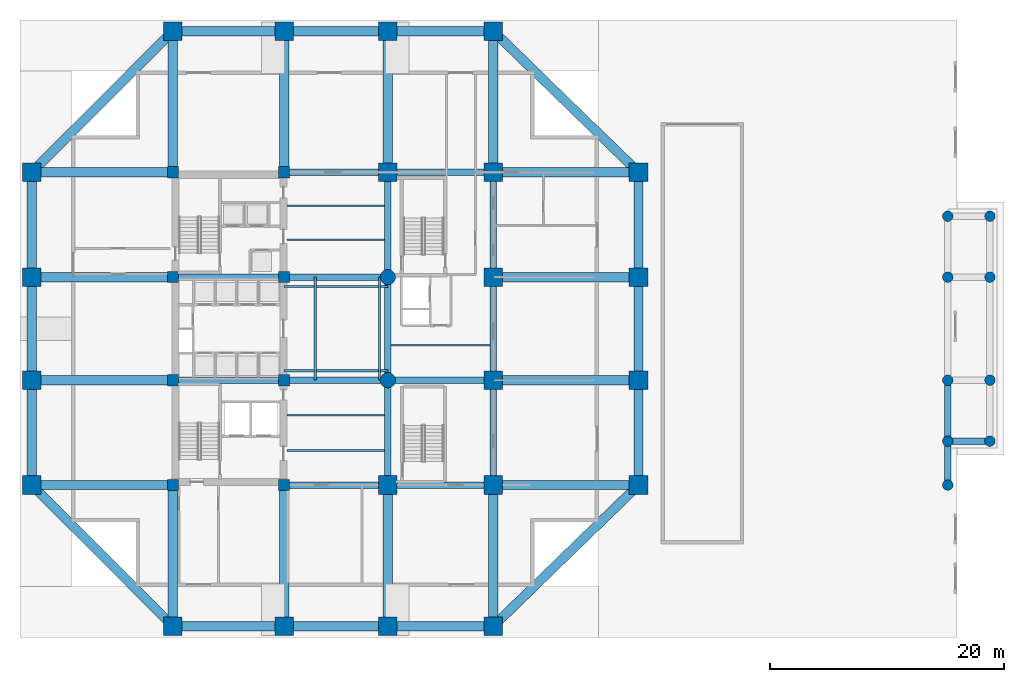
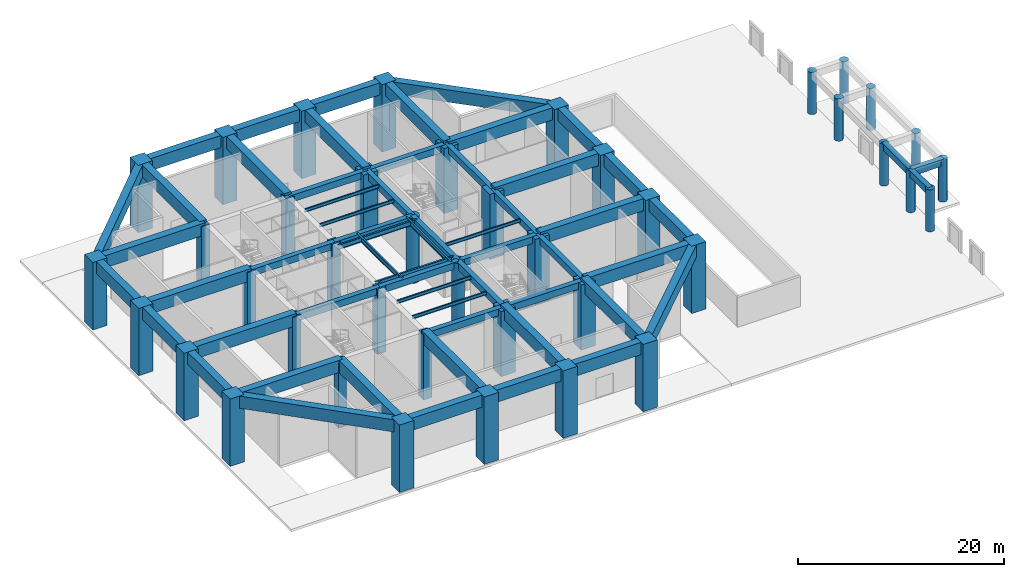
# One storey, part 1 of 10: 59 beams, 41 columns.
"""IFC4 building model written with IfcOpenShell, lengths in metres."""

from ifc_helpers import new_model, si_unit, direction, frame, origin, origin_2d, place, context, subcontext, project, spatial, rectangle, circle, i_section, extrude, material, material_profile, profile_set, type_object, element, save


model = new_model("IFC4")

# Units and contexts
model_context = context("Model", 3, precision=1e-05, world=origin(), true_north=direction((0.0, 1.0)))
body_context = subcontext(model_context, "Body", "Model", "MODEL_VIEW")
ifc_project = project(units=[si_unit("LENGTHUNIT", "METRE"), si_unit("AREAUNIT", "SQUARE_METRE"), si_unit("VOLUMEUNIT", "CUBIC_METRE"), si_unit("PLANEANGLEUNIT", "RADIAN"), si_unit("MASSUNIT", "GRAM", prefix="KILO")], contexts=[model_context])

# Site, building, storey
site_placement = place(None, origin())
site = spatial("IfcSite", under=ifc_project, at=site_placement, CompositionType="ELEMENT")
building_placement = place(site_placement, origin())
building = spatial("IfcBuilding", under=site, at=building_placement, Name="Kundavana Baori Tower", CompositionType="ELEMENT")
storey_placement = place(building_placement, origin())
storey = spatial("IfcBuildingStorey", under=building, at=storey_placement, Name="L00", CompositionType="ELEMENT", Elevation=0.0)

# Columns
ifc_material_1 = material(Name="Concrete C60/75", Category="concrete")
ifc_material_profile_1 = material_profile(ifc_material_1, rectangle(XDim=1.60009765625, YDim=1.60009765625, at=origin_2d()), Name="RC 1600x1600")
ifc_profile_set_1 = profile_set([ifc_material_profile_1], Name="Concrete C60/75")
column_type_1 = type_object("IfcColumnType", Name="COL-RC-1600", PredefinedType="COLUMN", material=ifc_profile_set_1)
for number, where, z_axis, x_axis, name in (
    (1, (33.800048828125, 15.25, 0.0), (0.0, 0.0, 1.0), (1.0, 0.0, 0.0), "L00 Interior Column IC-5C"),
    (2, (33.800048828125, 41.949951171875, 0.0), (0.0, 0.0, 1.0), (1.0, 0.0, 0.0), "L00 Interior Column IC-5F"),
    (3, (42.800048828125, 15.25, 0.0), (0.0, 0.0, 1.0), (1.0, 0.0, 0.0), "L00 Interior Column IC-6C"),
    (4, (42.800048828125, 24.199951171875, 0.0), (0.0, 0.0, 1.0), (1.0, 0.0, 0.0), "L00 Interior Column IC-6D"),
    (5, (42.800048828125, 33.0, 0.0), (0.0, 0.0, 1.0), (1.0, 0.0, 0.0), "L00 Interior Column IC-6E"),
    (6, (42.800048828125, 41.949951171875, 0.0), (0.0, 0.0, 1.0), (1.0, 0.0, 0.0), "L00 Interior Column IC-6F"),
):
    element("IfcColumn", number, at=place(storey_placement, frame(where, z_axis=z_axis, x_axis=x_axis)), inside=storey, type_object=column_type_1, Name=name, PredefinedType="COLUMN", context=body_context, shape_type="SweptSolid", body=[
        extrude(rectangle(XDim=1.60009765625, YDim=1.60009765625, at=origin_2d()), origin(), (0.0, 0.0, 1.0), 7.719970703125),
    ])
for number, where, z_axis, x_axis, name in (
    (7, (15.449951171875, 3.199951171875, 0.0), (0.0, 0.0, 1.0), (1.0, 0.0, 0.0), "L00 Pilotis Stilt Mega-Column PL-S1"),
    (8, (24.949951171875, 3.199951171875, 0.0), (0.0, 0.0, 1.0), (1.0, 0.0, 0.0), "L00 Pilotis Stilt Mega-Column PL-S2"),
    (9, (33.800048828125, 3.199951171875, 0.0), (0.0, 0.0, 1.0), (1.0, 0.0, 0.0), "L00 Pilotis Stilt Mega-Column PL-S3"),
    (10, (42.800048828125, 3.199951171875, 0.0), (0.0, 0.0, 1.0), (1.0, 0.0, 0.0), "L00 Pilotis Stilt Mega-Column PL-S4"),
    (11, (15.449951171875, 54.0, 0.0), (0.0, 0.0, 1.0), (1.0, 0.0, 0.0), "L00 Pilotis Stilt Mega-Column PL-N1"),
    (12, (24.949951171875, 54.0, 0.0), (0.0, 0.0, 1.0), (1.0, 0.0, 0.0), "L00 Pilotis Stilt Mega-Column PL-N2"),
    (13, (33.800048828125, 54.0, 0.0), (0.0, 0.0, 1.0), (1.0, 0.0, 0.0), "L00 Pilotis Stilt Mega-Column PL-N3"),
    (14, (42.800048828125, 54.0, 0.0), (0.0, 0.0, 1.0), (1.0, 0.0, 0.0), "L00 Pilotis Stilt Mega-Column PL-N4"),
    (15, (3.39990234375, 15.25, 0.0), (0.0, 0.0, 1.0), (1.0, 0.0, 0.0), "L00 Pilotis Stilt Mega-Column PL-W1"),
    (16, (3.39990234375, 24.199951171875, 0.0), (0.0, 0.0, 1.0), (1.0, 0.0, 0.0), "L00 Pilotis Stilt Mega-Column PL-W2"),
    (17, (3.39990234375, 33.0, 0.0), (0.0, 0.0, 1.0), (1.0, 0.0, 0.0), "L00 Pilotis Stilt Mega-Column PL-W3"),
    (18, (3.39990234375, 41.949951171875, 0.0), (0.0, 0.0, 1.0), (1.0, 0.0, 0.0), "L00 Pilotis Stilt Mega-Column PL-W4"),
    (19, (55.199951171875, 15.25, 0.0), (0.0, 0.0, 1.0), (1.0, 0.0, 0.0), "L00 Pilotis Stilt Mega-Column PL-E1"),
    (20, (55.199951171875, 24.199951171875, 0.0), (0.0, 0.0, 1.0), (1.0, 0.0, 0.0), "L00 Pilotis Stilt Mega-Column PL-E2"),
    (21, (55.199951171875, 33.0, 0.0), (0.0, 0.0, 1.0), (1.0, 0.0, 0.0), "L00 Pilotis Stilt Mega-Column PL-E3"),
    (22, (55.199951171875, 41.949951171875, 0.0), (0.0, 0.0, 1.0), (1.0, 0.0, 0.0), "L00 Pilotis Stilt Mega-Column PL-E4"),
):
    element("IfcColumn", number, at=place(storey_placement, frame(where, z_axis=z_axis, x_axis=x_axis)), inside=storey, type_object=column_type_1, Name=name, PredefinedType="COLUMN", context=body_context, shape_type="SweptSolid", body=[
        extrude(rectangle(XDim=1.60009765625, YDim=1.60009765625, at=origin_2d()), origin(), (0.0, 0.0, 1.0), 8.0),
    ])
ifc_material_2 = material(Name="Concrete C50/60", Category="concrete")
ifc_material_profile_2 = material_profile(ifc_material_2, rectangle(XDim=0.949951171875, YDim=0.949951171875, at=origin_2d()), Name="RC 950x950")
ifc_profile_set_2 = profile_set([ifc_material_profile_2], Name="Concrete C50/60")
column_type_2 = type_object("IfcColumnType", Name="COL-RC-950", PredefinedType="COLUMN", material=ifc_profile_set_2)
for number, where, z_axis, x_axis, name in (
    (23, (15.449951171875, 15.25, 0.0), (0.0, 0.0, 1.0), (1.0, 0.0, 0.0), "L00 Interior Column IC-3C"),
    (24, (15.449951171875, 24.199951171875, 0.0), (0.0, 0.0, 1.0), (1.0, 0.0, 0.0), "L00 Interior Column IC-3D"),
    (25, (15.449951171875, 33.0, 0.0), (0.0, 0.0, 1.0), (1.0, 0.0, 0.0), "L00 Interior Column IC-3E"),
    (26, (15.449951171875, 41.949951171875, 0.0), (0.0, 0.0, 1.0), (1.0, 0.0, 0.0), "L00 Interior Column IC-3F"),
    (27, (24.949951171875, 15.25, 0.0), (0.0, 0.0, 1.0), (1.0, 0.0, 0.0), "L00 Interior Column IC-4C"),
    (28, (24.949951171875, 24.199951171875, 0.0), (0.0, 0.0, 1.0), (1.0, 0.0, 0.0), "L00 Interior Column IC-4D"),
    (29, (24.949951171875, 33.0, 0.0), (0.0, 0.0, 1.0), (1.0, 0.0, 0.0), "L00 Interior Column IC-4E"),
    (30, (24.949951171875, 41.949951171875, 0.0), (0.0, 0.0, 1.0), (1.0, 0.0, 0.0), "L00 Interior Column IC-4F"),
):
    element("IfcColumn", number, at=place(storey_placement, frame(where, z_axis=z_axis, x_axis=x_axis)), inside=storey, type_object=column_type_2, Name=name, PredefinedType="COLUMN", context=body_context, shape_type="SweptSolid", body=[
        extrude(rectangle(XDim=0.949951171875, YDim=0.949951171875, at=origin_2d()), origin(), (0.0, 0.0, 1.0), 7.719970703125),
    ])
ifc_material_3 = material(Name="Concrete C60/75", Category="concrete")
ifc_material_profile_3 = material_profile(ifc_material_3, circle(Radius=0.64990234375, at=origin_2d()), Name="RC D1300")
ifc_profile_set_3 = profile_set([ifc_material_profile_3], Name="Concrete C60/75")
column_type_3 = type_object("IfcColumnType", Name="COL-RC-D1300", PredefinedType="COLUMN", material=ifc_profile_set_3)
for number, where, z_axis, x_axis, name in (
    (31, (33.800048828125, 24.199951171875, 0.0), (0.0, 0.0, 1.0), (1.0, 0.0, 0.0), "L00 Interior Column IC-5D"),
    (32, (33.800048828125, 33.0, 0.0), (0.0, 0.0, 1.0), (1.0, 0.0, 0.0), "L00 Interior Column IC-5E"),
):
    element("IfcColumn", number, at=place(storey_placement, frame(where, z_axis=z_axis, x_axis=x_axis)), inside=storey, type_object=column_type_3, Name=name, PredefinedType="COLUMN", context=body_context, shape_type="SweptSolid", body=[
        extrude(circle(Radius=0.64990234375, at=origin_2d()), origin(), (0.0, 0.0, 1.0), 7.719970703125),
    ])
ifc_material_4 = material(Name="Concrete C50/60", Category="concrete")
ifc_material_profile_4 = material_profile(ifc_material_4, circle(Radius=0.449951171875, at=origin_2d()), Name="RC D900")
ifc_profile_set_4 = profile_set([ifc_material_profile_4], Name="Concrete C50/60")
column_type_4 = type_object("IfcColumnType", Name="COL-RC-D900", PredefinedType="COLUMN", material=ifc_profile_set_4)
for number, where, z_axis, x_axis, name in (
    (33, (81.60009765625, 15.25, 0.0), (0.0, 0.0, 1.0), (1.0, 0.0, 0.0), "L00 Porte-Cochere Inner Column PCEW1"),
    (34, (81.60009765625, 19.0, 0.0), (0.0, 0.0, 1.0), (1.0, 0.0, 0.0), "L00 Porte-Cochere Inner Column PCEW2"),
    (35, (81.60009765625, 24.199951171875, 0.0), (0.0, 0.0, 1.0), (1.0, 0.0, 0.0), "L00 Porte-Cochere Inner Column PCEW3"),
    (36, (81.60009765625, 33.0, 0.0), (0.0, 0.0, 1.0), (1.0, 0.0, 0.0), "L00 Porte-Cochere Inner Column PCEW4"),
    (37, (81.60009765625, 38.199951171875, 0.0), (0.0, 0.0, 1.0), (1.0, 0.0, 0.0), "L00 Porte-Cochere Inner Column PCEW5"),
    (38, (85.199951171875, 19.0, 0.0), (0.0, 0.0, 1.0), (1.0, 0.0, 0.0), "L00 Porte-Cochere Canopy Column PC1"),
    (39, (85.199951171875, 24.199951171875, 0.0), (0.0, 0.0, 1.0), (1.0, 0.0, 0.0), "L00 Porte-Cochere Canopy Column PC2"),
    (40, (85.199951171875, 33.0, 0.0), (0.0, 0.0, 1.0), (1.0, 0.0, 0.0), "L00 Porte-Cochere Canopy Column PC3"),
    (41, (85.199951171875, 38.199951171875, 0.0), (0.0, 0.0, 1.0), (1.0, 0.0, 0.0), "L00 Porte-Cochere Canopy Column PC4"),
):
    element("IfcColumn", number, at=place(storey_placement, frame(where, z_axis=z_axis, x_axis=x_axis)), inside=storey, type_object=column_type_4, Name=name, PredefinedType="COLUMN", context=body_context, shape_type="SweptSolid", body=[
        extrude(circle(Radius=0.449951171875, at=origin_2d()), origin(), (0.0, 0.0, 1.0), 5.0),
    ])

# Beams
ifc_material_5 = material(Name="Structural Steel S355JR", Category="steel")
ifc_material_profile_5 = material_profile(ifc_material_5, i_section(OverallWidth=0.139892578125, OverallDepth=0.39990234375, WebThickness=0.0087890625, FlangeThickness=0.01611328125, FilletRadius=0.013916015625, at=origin_2d()), Name="ISMB 400")
ifc_profile_set_5 = profile_set([ifc_material_profile_5], Name="Structural Steel S355JR")
beam_type_1 = type_object("IfcBeamType", Name="BM-JST-400", PredefinedType="JOIST", material=ifc_profile_set_5)
for number, where, z_axis, x_axis, name in (
    (42, (25.179931640625, 18.199951171875, 7.52001953125), (1.0, 0.0, 0.0), (0.0, 1.0, 0.0), "L00 Central Bay Composite Floor Joist C1"),
    (43, (25.179931640625, 21.199951171875, 7.52001953125), (1.0, 0.0, 0.0), (0.0, 1.0, 0.0), "L00 Central Bay Composite Floor Joist C2"),
    (44, (25.179931640625, 36.199951171875, 7.52001953125), (1.0, 0.0, 0.0), (0.0, 1.0, 0.0), "L00 Central Bay Composite Floor Joist C3"),
    (45, (25.179931640625, 39.10009765625, 7.52001953125), (1.0, 0.0, 0.0), (0.0, 1.0, 0.0), "L00 Central Bay Composite Floor Joist C4"),
):
    element("IfcBeam", number, at=place(storey_placement, frame(where, z_axis=z_axis, x_axis=x_axis)), inside=storey, type_object=beam_type_1, Name=name, PredefinedType="JOIST", context=body_context, shape_type="SweptSolid", body=[
        extrude(i_section(OverallWidth=0.139892578125, OverallDepth=0.39990234375, WebThickness=0.0087890625, FlangeThickness=0.01611328125, FilletRadius=0.013916015625, at=origin_2d()), origin(), (0.0, 0.0, 1.0), 8.344970703125),
    ])
beam_1_placement = place(storey_placement, frame((34.074951171875, 27.199951171875, 7.52001953125), z_axis=(1.0, 0.0, 0.0), x_axis=(0.0, 1.0, 0.0)))
element("IfcBeam", 46, at=beam_1_placement, inside=storey, type_object=beam_type_1, Name="L00 East Bay Composite Floor Joist E3", PredefinedType="JOIST", context=body_context, shape_type="SweptSolid", body=[
    extrude(i_section(OverallWidth=0.139892578125, OverallDepth=0.39990234375, WebThickness=0.0087890625, FlangeThickness=0.01611328125, FilletRadius=0.013916015625, at=origin_2d()), origin(), (0.0, 0.0, 1.0), 8.449951171875),
])
ifc_material_6 = material(Name="Concrete C50/60", Category="concrete")
ifc_material_profile_6 = material_profile(ifc_material_6, rectangle(XDim=0.550048828125, YDim=0.800048828125, at=origin_2d()), Name="RC BM 550x800")
ifc_profile_set_6 = profile_set([ifc_material_profile_6], Name="Concrete C50/60")
beam_type_2 = type_object("IfcBeamType", Name="BM-RC-800", PredefinedType="BEAM", material=ifc_profile_set_6)
beam_2_placement = place(storey_placement, frame((81.60009765625, 15.25, 4.60009765625), z_axis=(0.0, 1.0, 0.0), x_axis=(-1.0, 0.0, 0.0)))
element("IfcBeam", 47, at=beam_2_placement, inside=storey, type_object=beam_type_2, Name="Porte-Cochere Inner Support Girder 1", PredefinedType="BEAM", context=body_context, shape_type="SweptSolid", body=[
    extrude(rectangle(XDim=0.550048828125, YDim=0.800048828125, at=origin_2d()), origin(), (0.0, 0.0, 1.0), 3.75),
])
beam_3_placement = place(storey_placement, frame((81.60009765625, 19.0, 4.60009765625), z_axis=(0.0, 1.0, 0.0), x_axis=(-1.0, 0.0, 0.0)))
element("IfcBeam", 48, at=beam_3_placement, inside=storey, type_object=beam_type_2, Name="Porte-Cochere Inner Support Girder 2", PredefinedType="BEAM", context=body_context, shape_type="SweptSolid", body=[
    extrude(rectangle(XDim=0.550048828125, YDim=0.800048828125, at=origin_2d()), origin(), (0.0, 0.0, 1.0), 5.199951171875),
])
beam_4_placement = place(storey_placement, frame((81.60009765625, 19.0, 4.60009765625), z_axis=(1.0, 0.0, 0.0), x_axis=(0.0, 1.0, 0.0)))
element("IfcBeam", 49, at=beam_4_placement, inside=storey, type_object=beam_type_2, Name="Porte-Cochere Canopy Girder 1", PredefinedType="BEAM", context=body_context, shape_type="SweptSolid", body=[
    extrude(rectangle(XDim=0.550048828125, YDim=0.800048828125, at=origin_2d()), origin(), (0.0, 0.0, 1.0), 3.599853515625),
])
beam_5_placement = place(storey_placement, frame((24.949951171875, 15.25, 7.320068359375), z_axis=(1.0, 0.0, 0.0), x_axis=(0.0, 1.0, 0.0)))
element("IfcBeam", 50, at=beam_5_placement, inside=storey, type_object=beam_type_2, Name="L00 Primary Grid Girder GX-1-2", PredefinedType="BEAM", context=body_context, shape_type="SweptSolid", body=[
    extrude(rectangle(XDim=0.550048828125, YDim=0.800048828125, at=origin_2d()), origin(), (0.0, 0.0, 1.0), 8.85009765625),
])
beam_6_placement = place(storey_placement, frame((33.800048828125, 15.25, 7.320068359375), z_axis=(1.0, 0.0, 0.0), x_axis=(0.0, 1.0, 0.0)))
element("IfcBeam", 51, at=beam_6_placement, inside=storey, type_object=beam_type_2, Name="L00 Primary Grid Girder GX-1-3", PredefinedType="BEAM", context=body_context, shape_type="SweptSolid", body=[
    extrude(rectangle(XDim=0.550048828125, YDim=0.800048828125, at=origin_2d()), origin(), (0.0, 0.0, 1.0), 9.0),
])
beam_7_placement = place(storey_placement, frame((15.449951171875, 24.199951171875, 7.320068359375), z_axis=(1.0, 0.0, 0.0), x_axis=(0.0, 1.0, 0.0)))
element("IfcBeam", 52, at=beam_7_placement, inside=storey, type_object=beam_type_2, Name="L00 Primary Grid Girder GX-2-1", PredefinedType="BEAM", context=body_context, shape_type="SweptSolid", body=[
    extrude(rectangle(XDim=0.550048828125, YDim=0.800048828125, at=origin_2d()), origin(), (0.0, 0.0, 1.0), 9.5),
])
beam_8_placement = place(storey_placement, frame((24.949951171875, 24.199951171875, 7.320068359375), z_axis=(1.0, 0.0, 0.0), x_axis=(0.0, 1.0, 0.0)))
element("IfcBeam", 53, at=beam_8_placement, inside=storey, type_object=beam_type_2, Name="L00 Primary Grid Girder GX-2-2", PredefinedType="BEAM", context=body_context, shape_type="SweptSolid", body=[
    extrude(rectangle(XDim=0.550048828125, YDim=0.800048828125, at=origin_2d()), origin(), (0.0, 0.0, 1.0), 8.85009765625),
])
beam_9_placement = place(storey_placement, frame((33.800048828125, 24.199951171875, 7.320068359375), z_axis=(1.0, 0.0, 0.0), x_axis=(0.0, 1.0, 0.0)))
element("IfcBeam", 54, at=beam_9_placement, inside=storey, type_object=beam_type_2, Name="L00 Primary Grid Girder GX-2-3", PredefinedType="BEAM", context=body_context, shape_type="SweptSolid", body=[
    extrude(rectangle(XDim=0.550048828125, YDim=0.800048828125, at=origin_2d()), origin(), (0.0, 0.0, 1.0), 9.0),
])
beam_10_placement = place(storey_placement, frame((15.449951171875, 33.0, 7.320068359375), z_axis=(1.0, 0.0, 0.0), x_axis=(0.0, 1.0, 0.0)))
element("IfcBeam", 55, at=beam_10_placement, inside=storey, type_object=beam_type_2, Name="L00 Primary Grid Girder GX-3-1", PredefinedType="BEAM", context=body_context, shape_type="SweptSolid", body=[
    extrude(rectangle(XDim=0.550048828125, YDim=0.800048828125, at=origin_2d()), origin(), (0.0, 0.0, 1.0), 9.5),
])
for number, where, z_axis, x_axis, name in (
    (56, (24.949951171875, 33.0, 7.320068359375), (1.0, 0.0, 0.0), (0.0, 1.0, 0.0), "L00 Primary Grid Girder GX-3-2"),
    (57, (24.949951171875, 41.949951171875, 7.320068359375), (1.0, 0.0, 0.0), (0.0, 1.0, 0.0), "L00 Primary Grid Girder GX-4-2"),
):
    element("IfcBeam", number, at=place(storey_placement, frame(where, z_axis=z_axis, x_axis=x_axis)), inside=storey, type_object=beam_type_2, Name=name, PredefinedType="BEAM", context=body_context, shape_type="SweptSolid", body=[
        extrude(rectangle(XDim=0.550048828125, YDim=0.800048828125, at=origin_2d()), origin(), (0.0, 0.0, 1.0), 8.85009765625),
    ])
beam_11_placement = place(storey_placement, frame((33.800048828125, 41.949951171875, 7.320068359375), z_axis=(1.0, 0.0, 0.0), x_axis=(0.0, 1.0, 0.0)))
element("IfcBeam", 58, at=beam_11_placement, inside=storey, type_object=beam_type_2, Name="L00 Primary Grid Girder GX-4-3", PredefinedType="BEAM", context=body_context, shape_type="SweptSolid", body=[
    extrude(rectangle(XDim=0.550048828125, YDim=0.800048828125, at=origin_2d()), origin(), (0.0, 0.0, 1.0), 9.0),
])
beam_12_placement = place(storey_placement, frame((33.800048828125, 15.25, 7.320068359375), z_axis=(0.0, 1.0, 0.0), x_axis=(-1.0, 0.0, 0.0)))
element("IfcBeam", 59, at=beam_12_placement, inside=storey, type_object=beam_type_2, Name="L00 Primary Grid Girder GY-3-1", PredefinedType="BEAM", context=body_context, shape_type="SweptSolid", body=[
    extrude(rectangle(XDim=0.550048828125, YDim=0.800048828125, at=origin_2d()), origin(), (0.0, 0.0, 1.0), 8.949951171875),
])
beam_13_placement = place(storey_placement, frame((33.800048828125, 24.199951171875, 7.320068359375), z_axis=(0.0, 1.0, 0.0), x_axis=(-1.0, 0.0, 0.0)))
element("IfcBeam", 60, at=beam_13_placement, inside=storey, type_object=beam_type_2, Name="L00 Primary Grid Girder GY-3-2", PredefinedType="BEAM", context=body_context, shape_type="SweptSolid", body=[
    extrude(rectangle(XDim=0.550048828125, YDim=0.800048828125, at=origin_2d()), origin(), (0.0, 0.0, 1.0), 8.800048828125),
])
for number, where, z_axis, x_axis, name in (
    (61, (33.800048828125, 33.0, 7.320068359375), (0.0, 1.0, 0.0), (-1.0, 0.0, 0.0), "L00 Primary Grid Girder GY-3-3"),
    (62, (42.800048828125, 15.25, 7.320068359375), (0.0, 1.0, 0.0), (-1.0, 0.0, 0.0), "L00 Primary Grid Girder GY-4-1"),
):
    element("IfcBeam", number, at=place(storey_placement, frame(where, z_axis=z_axis, x_axis=x_axis)), inside=storey, type_object=beam_type_2, Name=name, PredefinedType="BEAM", context=body_context, shape_type="SweptSolid", body=[
        extrude(rectangle(XDim=0.550048828125, YDim=0.800048828125, at=origin_2d()), origin(), (0.0, 0.0, 1.0), 8.949951171875),
    ])
beam_14_placement = place(storey_placement, frame((42.800048828125, 24.199951171875, 7.320068359375), z_axis=(0.0, 1.0, 0.0), x_axis=(-1.0, 0.0, 0.0)))
element("IfcBeam", 63, at=beam_14_placement, inside=storey, type_object=beam_type_2, Name="L00 Primary Grid Girder GY-4-2", PredefinedType="BEAM", context=body_context, shape_type="SweptSolid", body=[
    extrude(rectangle(XDim=0.550048828125, YDim=0.800048828125, at=origin_2d()), origin(), (0.0, 0.0, 1.0), 8.800048828125),
])
beam_15_placement = place(storey_placement, frame((42.800048828125, 33.0, 7.320068359375), z_axis=(0.0, 1.0, 0.0), x_axis=(-1.0, 0.0, 0.0)))
element("IfcBeam", 64, at=beam_15_placement, inside=storey, type_object=beam_type_2, Name="L00 Primary Grid Girder GY-4-3", PredefinedType="BEAM", context=body_context, shape_type="SweptSolid", body=[
    extrude(rectangle(XDim=0.550048828125, YDim=0.800048828125, at=origin_2d()), origin(), (0.0, 0.0, 1.0), 8.949951171875),
])
ifc_material_7 = material(Name="Structural Steel S355JR", Category="steel")
ifc_material_profile_7 = material_profile(ifc_material_7, i_section(OverallWidth=0.18994140625, OverallDepth=0.550048828125, WebThickness=0.01123046875, FlangeThickness=0.019287109375, FilletRadius=0.01806640625, at=origin_2d()), Name="ISMB 550")
ifc_profile_set_7 = profile_set([ifc_material_profile_7], Name="Structural Steel S355JR")
beam_type_3 = type_object("IfcBeamType", Name="BM-ST-550", PredefinedType="BEAM", material=ifc_profile_set_7)
for number, where, z_axis, x_axis, name in (
    (65, (27.60009765625, 24.199951171875, 7.445068359375), (0.0, 1.0, 0.0), (-1.0, 0.0, 0.0), "L00 Atrium West Edge Beam"),
    (66, (33.10009765625, 24.199951171875, 7.445068359375), (0.0, 1.0, 0.0), (-1.0, 0.0, 0.0), "L00 Atrium East Edge Beam"),
):
    element("IfcBeam", number, at=place(storey_placement, frame(where, z_axis=z_axis, x_axis=x_axis)), inside=storey, type_object=beam_type_3, Name=name, PredefinedType="BEAM", context=body_context, shape_type="SweptSolid", body=[
        extrude(i_section(OverallWidth=0.18994140625, OverallDepth=0.550048828125, WebThickness=0.01123046875, FlangeThickness=0.019287109375, FilletRadius=0.01806640625, at=origin_2d()), origin(), (0.0, 0.0, 1.0), 8.800048828125),
    ])
for number, where, z_axis, x_axis, name in (
    (67, (24.949951171875, 25.0, 7.445068359375), (1.0, 0.0, 0.0), (0.0, 1.0, 0.0), "L00 Atrium South Edge Beam"),
    (68, (24.949951171875, 32.199951171875, 7.445068359375), (1.0, 0.0, 0.0), (0.0, 1.0, 0.0), "L00 Atrium North Edge Beam"),
):
    element("IfcBeam", number, at=place(storey_placement, frame(where, z_axis=z_axis, x_axis=x_axis)), inside=storey, type_object=beam_type_3, Name=name, PredefinedType="BEAM", context=body_context, shape_type="SweptSolid", body=[
        extrude(i_section(OverallWidth=0.18994140625, OverallDepth=0.550048828125, WebThickness=0.01123046875, FlangeThickness=0.019287109375, FilletRadius=0.01806640625, at=origin_2d()), origin(), (0.0, 0.0, 1.0), 8.85009765625),
    ])
ifc_material_8 = material(Name="Concrete C50/60", Category="concrete")
ifc_material_profile_8 = material_profile(ifc_material_8, rectangle(XDim=0.800048828125, YDim=1.449951171875, at=origin_2d()), Name="BM-TG-1")
ifc_profile_set_8 = profile_set([ifc_material_profile_8], Name="Concrete C50/60")
beam_type_4 = type_object("IfcBeamType", Name="BM-TG-1", PredefinedType="USERDEFINED", material=ifc_profile_set_8)
beam_16_placement = place(storey_placement, frame((15.449951171875, 3.199951171875, 7.27490234375), z_axis=(1.0, 0.0, 0.0), x_axis=(0.0, 1.0, 0.0)))
element("IfcBeam", 69, at=beam_16_placement, inside=storey, type_object=beam_type_4, Name="L00 Perimeter Frame Ring Beam S1", ObjectType="TRANSFER GIRDER", PredefinedType="USERDEFINED", context=body_context, shape_type="SweptSolid", body=[
    extrude(rectangle(XDim=0.800048828125, YDim=1.449951171875, at=origin_2d()), origin(), (0.0, 0.0, 1.0), 9.5),
])
beam_17_placement = place(storey_placement, frame((24.949951171875, 3.199951171875, 7.27490234375), z_axis=(1.0, 0.0, 0.0), x_axis=(0.0, 1.0, 0.0)))
element("IfcBeam", 70, at=beam_17_placement, inside=storey, type_object=beam_type_4, Name="L00 Perimeter Frame Ring Beam S2", ObjectType="TRANSFER GIRDER", PredefinedType="USERDEFINED", context=body_context, shape_type="SweptSolid", body=[
    extrude(rectangle(XDim=0.800048828125, YDim=1.449951171875, at=origin_2d()), origin(), (0.0, 0.0, 1.0), 8.85009765625),
])
beam_18_placement = place(storey_placement, frame((33.800048828125, 3.199951171875, 7.27490234375), z_axis=(1.0, 0.0, 0.0), x_axis=(0.0, 1.0, 0.0)))
element("IfcBeam", 71, at=beam_18_placement, inside=storey, type_object=beam_type_4, Name="L00 Perimeter Frame Ring Beam S3", ObjectType="TRANSFER GIRDER", PredefinedType="USERDEFINED", context=body_context, shape_type="SweptSolid", body=[
    extrude(rectangle(XDim=0.800048828125, YDim=1.449951171875, at=origin_2d()), origin(), (0.0, 0.0, 1.0), 9.0),
])
beam_19_placement = place(storey_placement, frame((15.449951171875, 54.0, 7.27490234375), z_axis=(1.0, 0.0, 0.0), x_axis=(0.0, 1.0, 0.0)))
element("IfcBeam", 72, at=beam_19_placement, inside=storey, type_object=beam_type_4, Name="L00 Perimeter Frame Ring Beam N1", ObjectType="TRANSFER GIRDER", PredefinedType="USERDEFINED", context=body_context, shape_type="SweptSolid", body=[
    extrude(rectangle(XDim=0.800048828125, YDim=1.449951171875, at=origin_2d()), origin(), (0.0, 0.0, 1.0), 9.5),
])
beam_20_placement = place(storey_placement, frame((24.949951171875, 54.0, 7.27490234375), z_axis=(1.0, 0.0, 0.0), x_axis=(0.0, 1.0, 0.0)))
element("IfcBeam", 73, at=beam_20_placement, inside=storey, type_object=beam_type_4, Name="L00 Perimeter Frame Ring Beam N2", ObjectType="TRANSFER GIRDER", PredefinedType="USERDEFINED", context=body_context, shape_type="SweptSolid", body=[
    extrude(rectangle(XDim=0.800048828125, YDim=1.449951171875, at=origin_2d()), origin(), (0.0, 0.0, 1.0), 8.85009765625),
])
beam_21_placement = place(storey_placement, frame((33.800048828125, 54.0, 7.27490234375), z_axis=(1.0, 0.0, 0.0), x_axis=(0.0, 1.0, 0.0)))
element("IfcBeam", 74, at=beam_21_placement, inside=storey, type_object=beam_type_4, Name="L00 Perimeter Frame Ring Beam N3", ObjectType="TRANSFER GIRDER", PredefinedType="USERDEFINED", context=body_context, shape_type="SweptSolid", body=[
    extrude(rectangle(XDim=0.800048828125, YDim=1.449951171875, at=origin_2d()), origin(), (0.0, 0.0, 1.0), 9.0),
])
beam_22_placement = place(storey_placement, frame((3.39990234375, 15.25, 7.27490234375), z_axis=(0.0, 1.0, 0.0), x_axis=(-1.0, 0.0, 0.0)))
element("IfcBeam", 75, at=beam_22_placement, inside=storey, type_object=beam_type_4, Name="L00 Perimeter Frame Ring Beam W1", ObjectType="TRANSFER GIRDER", PredefinedType="USERDEFINED", context=body_context, shape_type="SweptSolid", body=[
    extrude(rectangle(XDim=0.800048828125, YDim=1.449951171875, at=origin_2d()), origin(), (0.0, 0.0, 1.0), 8.949951171875),
])
beam_23_placement = place(storey_placement, frame((3.39990234375, 24.199951171875, 7.27490234375), z_axis=(0.0, 1.0, 0.0), x_axis=(-1.0, 0.0, 0.0)))
element("IfcBeam", 76, at=beam_23_placement, inside=storey, type_object=beam_type_4, Name="L00 Perimeter Frame Ring Beam W2", ObjectType="TRANSFER GIRDER", PredefinedType="USERDEFINED", context=body_context, shape_type="SweptSolid", body=[
    extrude(rectangle(XDim=0.800048828125, YDim=1.449951171875, at=origin_2d()), origin(), (0.0, 0.0, 1.0), 8.800048828125),
])
for number, where, z_axis, x_axis, name in (
    (77, (3.39990234375, 33.0, 7.27490234375), (0.0, 1.0, 0.0), (-1.0, 0.0, 0.0), "L00 Perimeter Frame Ring Beam W3"),
    (78, (55.199951171875, 15.25, 7.27490234375), (0.0, 1.0, 0.0), (-1.0, 0.0, 0.0), "L00 Perimeter Frame Ring Beam E1"),
):
    element("IfcBeam", number, at=place(storey_placement, frame(where, z_axis=z_axis, x_axis=x_axis)), inside=storey, type_object=beam_type_4, Name=name, ObjectType="TRANSFER GIRDER", PredefinedType="USERDEFINED", context=body_context, shape_type="SweptSolid", body=[
        extrude(rectangle(XDim=0.800048828125, YDim=1.449951171875, at=origin_2d()), origin(), (0.0, 0.0, 1.0), 8.949951171875),
    ])
beam_24_placement = place(storey_placement, frame((55.199951171875, 24.199951171875, 7.27490234375), z_axis=(0.0, 1.0, 0.0), x_axis=(-1.0, 0.0, 0.0)))
element("IfcBeam", 79, at=beam_24_placement, inside=storey, type_object=beam_type_4, Name="L00 Perimeter Frame Ring Beam E2", ObjectType="TRANSFER GIRDER", PredefinedType="USERDEFINED", context=body_context, shape_type="SweptSolid", body=[
    extrude(rectangle(XDim=0.800048828125, YDim=1.449951171875, at=origin_2d()), origin(), (0.0, 0.0, 1.0), 8.800048828125),
])
beam_25_placement = place(storey_placement, frame((55.199951171875, 33.0, 7.27490234375), z_axis=(0.0, 1.0, 0.0), x_axis=(-1.0, 0.0, 0.0)))
element("IfcBeam", 80, at=beam_25_placement, inside=storey, type_object=beam_type_4, Name="L00 Perimeter Frame Ring Beam E3", ObjectType="TRANSFER GIRDER", PredefinedType="USERDEFINED", context=body_context, shape_type="SweptSolid", body=[
    extrude(rectangle(XDim=0.800048828125, YDim=1.449951171875, at=origin_2d()), origin(), (0.0, 0.0, 1.0), 8.949951171875),
])
beam_26_placement = place(storey_placement, frame((15.449951171875, 3.199951171875, 7.27490234375), z_axis=(-0.707106781187, 0.707106781187, 0.0), x_axis=(-0.707106781187, -0.707106781187, 0.0)))
element("IfcBeam", 81, at=beam_26_placement, inside=storey, type_object=beam_type_4, Name="L00 Notched Corner Perimeter Beam SW", ObjectType="TRANSFER GIRDER", PredefinedType="USERDEFINED", context=body_context, shape_type="SweptSolid", body=[
    extrude(rectangle(XDim=0.800048828125, YDim=1.449951171875, at=origin_2d()), origin(), (0.0, 0.0, 1.0), 17.041259765625),
])
beam_27_placement = place(storey_placement, frame((42.800048828125, 3.199951171875, 7.27490234375), z_axis=(0.717151334594, 0.696917472367, 0.0), x_axis=(-0.696917472367, 0.717151334594, 0.0)))
element("IfcBeam", 82, at=beam_27_placement, inside=storey, type_object=beam_type_4, Name="L00 Notched Corner Perimeter Beam SE", ObjectType="TRANSFER GIRDER", PredefinedType="USERDEFINED", context=body_context, shape_type="SweptSolid", body=[
    extrude(rectangle(XDim=0.800048828125, YDim=1.449951171875, at=origin_2d()), origin(), (0.0, 0.0, 1.0), 17.29052734375),
])
beam_28_placement = place(storey_placement, frame((15.449951171875, 54.0, 7.27490234375), z_axis=(-0.707106781187, -0.707106781187, 0.0), x_axis=(0.707106781187, -0.707106781187, 0.0)))
element("IfcBeam", 83, at=beam_28_placement, inside=storey, type_object=beam_type_4, Name="L00 Notched Corner Perimeter Beam NW", ObjectType="TRANSFER GIRDER", PredefinedType="USERDEFINED", context=body_context, shape_type="SweptSolid", body=[
    extrude(rectangle(XDim=0.800048828125, YDim=1.449951171875, at=origin_2d()), origin(), (0.0, 0.0, 1.0), 17.041259765625),
])
beam_29_placement = place(storey_placement, frame((42.800048828125, 54.0, 7.27490234375), z_axis=(0.717151334594, -0.696917472367, 0.0), x_axis=(0.696917472367, 0.717151334594, 0.0)))
element("IfcBeam", 84, at=beam_29_placement, inside=storey, type_object=beam_type_4, Name="L00 Notched Corner Perimeter Beam NE", ObjectType="TRANSFER GIRDER", PredefinedType="USERDEFINED", context=body_context, shape_type="SweptSolid", body=[
    extrude(rectangle(XDim=0.800048828125, YDim=1.449951171875, at=origin_2d()), origin(), (0.0, 0.0, 1.0), 17.29052734375),
])
for number, where, z_axis, x_axis, name in (
    (85, (15.449951171875, 15.25, 7.27490234375), (0.0, -1.0, 0.0), (1.0, 0.0, 0.0), "L00 South Radial Transfer Girder S1"),
    (86, (15.449951171875, 41.949951171875, 7.27490234375), (0.0, 1.0, 0.0), (-1.0, 0.0, 0.0), "L00 North Radial Transfer Girder N1"),
    (87, (24.949951171875, 15.25, 7.27490234375), (0.0, -1.0, 0.0), (1.0, 0.0, 0.0), "L00 South Radial Transfer Girder S2"),
    (88, (24.949951171875, 41.949951171875, 7.27490234375), (0.0, 1.0, 0.0), (-1.0, 0.0, 0.0), "L00 North Radial Transfer Girder N2"),
    (89, (33.800048828125, 15.25, 7.27490234375), (0.0, -1.0, 0.0), (1.0, 0.0, 0.0), "L00 South Radial Transfer Girder S3"),
    (90, (33.800048828125, 41.949951171875, 7.27490234375), (0.0, 1.0, 0.0), (-1.0, 0.0, 0.0), "L00 North Radial Transfer Girder N3"),
    (91, (42.800048828125, 15.25, 7.27490234375), (0.0, -1.0, 0.0), (1.0, 0.0, 0.0), "L00 South Radial Transfer Girder S4"),
    (92, (42.800048828125, 41.949951171875, 7.27490234375), (0.0, 1.0, 0.0), (-1.0, 0.0, 0.0), "L00 North Radial Transfer Girder N4"),
    (93, (15.449951171875, 15.25, 7.27490234375), (-1.0, 0.0, 0.0), (0.0, -1.0, 0.0), "L00 West Radial Transfer Girder W1"),
):
    element("IfcBeam", number, at=place(storey_placement, frame(where, z_axis=z_axis, x_axis=x_axis)), inside=storey, type_object=beam_type_4, Name=name, ObjectType="TRANSFER GIRDER", PredefinedType="USERDEFINED", context=body_context, shape_type="SweptSolid", body=[
        extrude(rectangle(XDim=0.800048828125, YDim=1.449951171875, at=origin_2d()), origin(), (0.0, 0.0, 1.0), 12.050048828125),
    ])
beam_30_placement = place(storey_placement, frame((42.800048828125, 15.25, 7.27490234375), z_axis=(1.0, 0.0, 0.0), x_axis=(0.0, 1.0, 0.0)))
element("IfcBeam", 94, at=beam_30_placement, inside=storey, type_object=beam_type_4, Name="L00 East Radial Transfer Girder E1", ObjectType="TRANSFER GIRDER", PredefinedType="USERDEFINED", context=body_context, shape_type="SweptSolid", body=[
    extrude(rectangle(XDim=0.800048828125, YDim=1.449951171875, at=origin_2d()), origin(), (0.0, 0.0, 1.0), 12.39990234375),
])
beam_31_placement = place(storey_placement, frame((15.449951171875, 24.199951171875, 7.27490234375), z_axis=(-1.0, 0.0, 0.0), x_axis=(0.0, -1.0, 0.0)))
element("IfcBeam", 95, at=beam_31_placement, inside=storey, type_object=beam_type_4, Name="L00 West Radial Transfer Girder W2", ObjectType="TRANSFER GIRDER", PredefinedType="USERDEFINED", context=body_context, shape_type="SweptSolid", body=[
    extrude(rectangle(XDim=0.800048828125, YDim=1.449951171875, at=origin_2d()), origin(), (0.0, 0.0, 1.0), 12.050048828125),
])
beam_32_placement = place(storey_placement, frame((42.800048828125, 24.199951171875, 7.27490234375), z_axis=(1.0, 0.0, 0.0), x_axis=(0.0, 1.0, 0.0)))
element("IfcBeam", 96, at=beam_32_placement, inside=storey, type_object=beam_type_4, Name="L00 East Radial Transfer Girder E2", ObjectType="TRANSFER GIRDER", PredefinedType="USERDEFINED", context=body_context, shape_type="SweptSolid", body=[
    extrude(rectangle(XDim=0.800048828125, YDim=1.449951171875, at=origin_2d()), origin(), (0.0, 0.0, 1.0), 12.39990234375),
])
beam_33_placement = place(storey_placement, frame((15.449951171875, 33.0, 7.27490234375), z_axis=(-1.0, 0.0, 0.0), x_axis=(0.0, -1.0, 0.0)))
element("IfcBeam", 97, at=beam_33_placement, inside=storey, type_object=beam_type_4, Name="L00 West Radial Transfer Girder W3", ObjectType="TRANSFER GIRDER", PredefinedType="USERDEFINED", context=body_context, shape_type="SweptSolid", body=[
    extrude(rectangle(XDim=0.800048828125, YDim=1.449951171875, at=origin_2d()), origin(), (0.0, 0.0, 1.0), 12.050048828125),
])
beam_34_placement = place(storey_placement, frame((42.800048828125, 33.0, 7.27490234375), z_axis=(1.0, 0.0, 0.0), x_axis=(0.0, 1.0, 0.0)))
element("IfcBeam", 98, at=beam_34_placement, inside=storey, type_object=beam_type_4, Name="L00 East Radial Transfer Girder E3", ObjectType="TRANSFER GIRDER", PredefinedType="USERDEFINED", context=body_context, shape_type="SweptSolid", body=[
    extrude(rectangle(XDim=0.800048828125, YDim=1.449951171875, at=origin_2d()), origin(), (0.0, 0.0, 1.0), 12.39990234375),
])
beam_35_placement = place(storey_placement, frame((15.449951171875, 41.949951171875, 7.27490234375), z_axis=(-1.0, 0.0, 0.0), x_axis=(0.0, -1.0, 0.0)))
element("IfcBeam", 99, at=beam_35_placement, inside=storey, type_object=beam_type_4, Name="L00 West Radial Transfer Girder W4", ObjectType="TRANSFER GIRDER", PredefinedType="USERDEFINED", context=body_context, shape_type="SweptSolid", body=[
    extrude(rectangle(XDim=0.800048828125, YDim=1.449951171875, at=origin_2d()), origin(), (0.0, 0.0, 1.0), 12.050048828125),
])
beam_36_placement = place(storey_placement, frame((42.800048828125, 41.949951171875, 7.27490234375), z_axis=(1.0, 0.0, 0.0), x_axis=(0.0, 1.0, 0.0)))
element("IfcBeam", 100, at=beam_36_placement, inside=storey, type_object=beam_type_4, Name="L00 East Radial Transfer Girder E4", ObjectType="TRANSFER GIRDER", PredefinedType="USERDEFINED", context=body_context, shape_type="SweptSolid", body=[
    extrude(rectangle(XDim=0.800048828125, YDim=1.449951171875, at=origin_2d()), origin(), (0.0, 0.0, 1.0), 12.39990234375),
])

save(model, "model.ifc")
